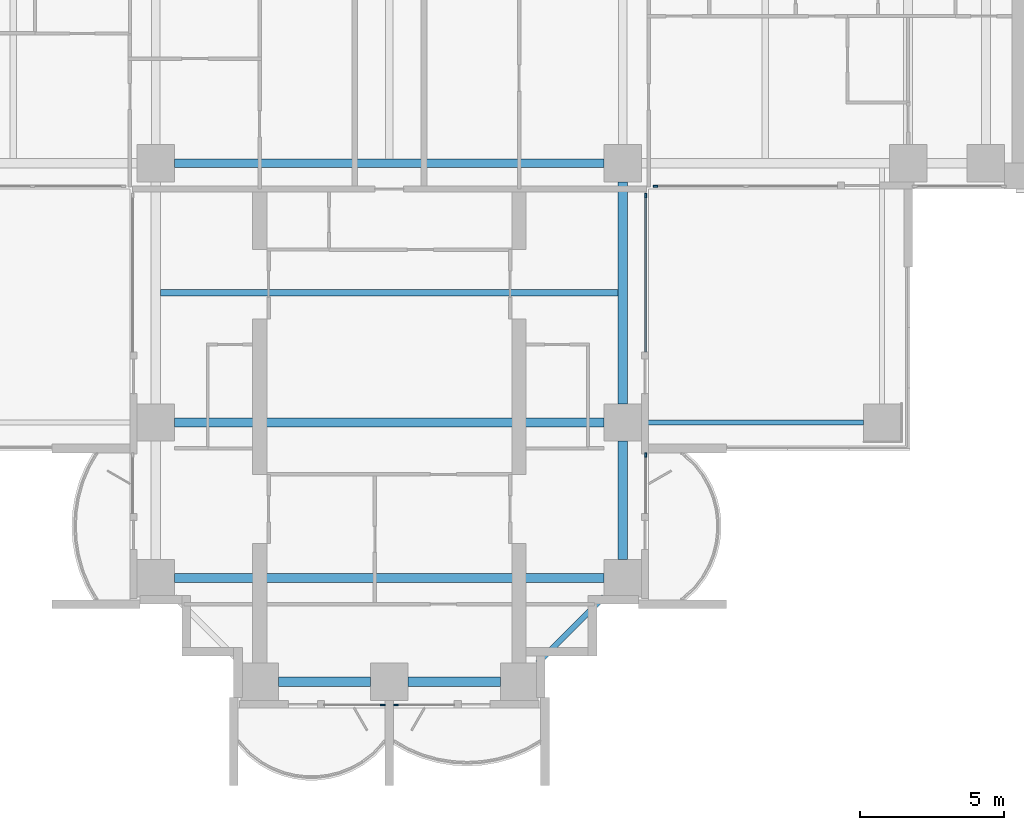
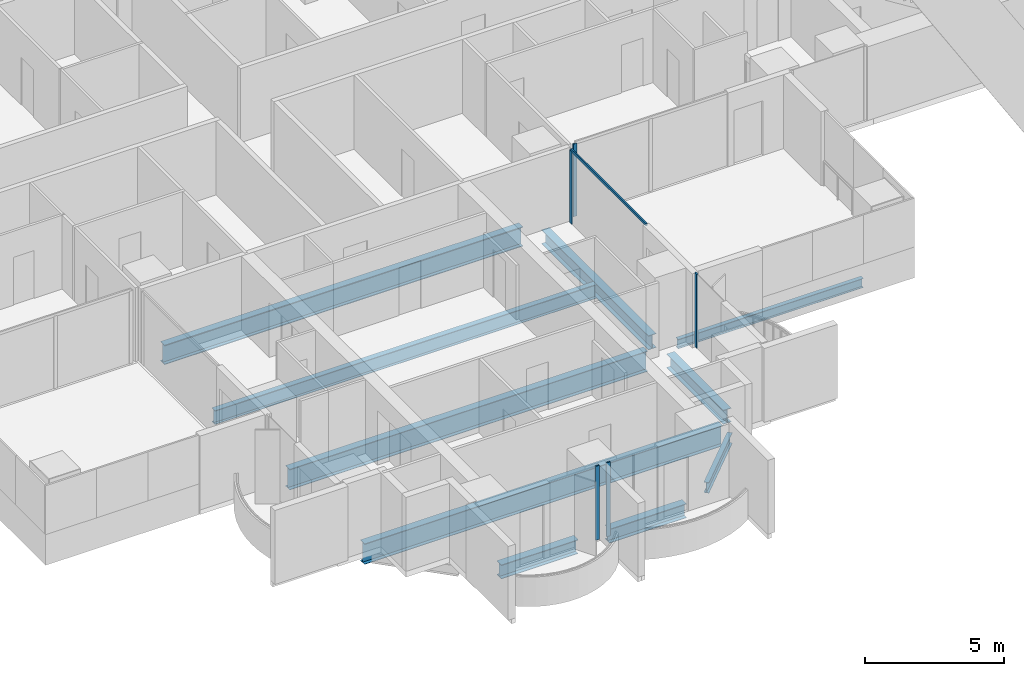
# One storey, part 3 of 23: 10 beams, 6 members, 5 elements without a shape of their own.
"""IFC4 building model written with IfcOpenShell, lengths in metres."""

from ifc_helpers import new_model, si_unit, direction, frame, origin, origin_2d, place, context, subcontext, project, spatial, rectangle, i_section, extrude, material, material_profile, profile_set, type_object, element, aggregate, save


model = new_model("IFC4")

# Units and contexts
model_context = context("Model", 3, precision=1e-05, world=origin(), true_north=direction((0.0, 1.0)))
body_context = subcontext(model_context, "Body", "Model", "MODEL_VIEW")
ifc_project = project(units=[si_unit("LENGTHUNIT", "METRE"), si_unit("AREAUNIT", "SQUARE_METRE"), si_unit("VOLUMEUNIT", "CUBIC_METRE"), si_unit("PLANEANGLEUNIT", "RADIAN"), si_unit("MASSUNIT", "GRAM", prefix="KILO")], contexts=[model_context])

# Site, building, storey
site_placement = place(None, origin())
site = spatial("IfcSite", under=ifc_project, at=site_placement, CompositionType="ELEMENT")
building_placement = place(site_placement, origin())
building = spatial("IfcBuilding", under=site, at=building_placement, Name="Perihelion Cross Residences", CompositionType="ELEMENT")
storey_placement = place(building_placement, frame((0.0, 0.0, 61.0)))
storey = spatial("IfcBuildingStorey", under=building, at=storey_placement, Name="L12", CompositionType="ELEMENT", Elevation=61.0)

# Curtain wall, member
ifc_material_1 = material(Name="Bronze anodised aluminium, tinted glazing", Category="aluminium")
curtain_wall_type = type_object("IfcCurtainWallType", Name="CW1", PredefinedType="NOTDEFINED", material=ifc_material_1)
curtain_wall_1_placement = place(storey_placement, origin())
curtain_wall_1 = element("IfcCurtainWall", 1, at=curtain_wall_1_placement, inside=storey, type_object=curtain_wall_type, Name="Curtain wall CW1 L12 south tip south bay 1", PredefinedType="NOTDEFINED")
ifc_material_2 = material(Name="Bronze anodised aluminium", Category="aluminium")
ifc_material_profile_1 = material_profile(ifc_material_2, rectangle(XDim=0.06005859375, YDim=0.159912109375, at=origin_2d()), Name="CW1 mullion")
ifc_profile_set_1 = profile_set([ifc_material_profile_1], Name="Bronze anodised aluminium")
member_type_1 = type_object("IfcMemberType", Name="CW1 mullion", PredefinedType="MULLION", material=ifc_profile_set_1)
member_1_placement = place(storey_placement, frame((-0.22998046875, -26.89990234375, 0.0), z_axis=(0.0, 0.0, 1.0), x_axis=(0.0, 1.0, 0.0)))
member_1 = element("IfcMember", 2, at=member_1_placement, type_object=member_type_1, Name="CW1 mullion 2", PredefinedType="MULLION", context=body_context, shape_type="SweptSolid", body=[
    extrude(rectangle(XDim=0.06005859375, YDim=0.159912109375, at=origin_2d()), origin(), (0.0, 0.0, 1.0), 3.25),
])
aggregate(curtain_wall_1, [member_1])

curtain_wall_2_placement = place(storey_placement, origin())
curtain_wall_2 = element("IfcCurtainWall", 3, at=curtain_wall_2_placement, inside=storey, type_object=curtain_wall_type, Name="Curtain wall CW1 L12 south tip south bay 2", PredefinedType="NOTDEFINED")
member_2_placement = place(storey_placement, frame((0.22998046875, -26.89990234375, 0.0), z_axis=(0.0, 0.0, 1.0), x_axis=(0.0, 1.0, 0.0)))
member_2 = element("IfcMember", 4, at=member_2_placement, type_object=member_type_1, Name="CW1 mullion 1", PredefinedType="MULLION", context=body_context, shape_type="SweptSolid", body=[
    extrude(rectangle(XDim=0.06005859375, YDim=0.159912109375, at=origin_2d()), origin(), (0.0, 0.0, 1.0), 3.25),
])
aggregate(curtain_wall_2, [member_2])

curtain_wall_3_placement = place(storey_placement, origin())
curtain_wall_3 = element("IfcCurtainWall", 5, at=curtain_wall_3_placement, inside=storey, type_object=curtain_wall_type, Name="Curtain wall CW1 L12 south side east bay 1", PredefinedType="NOTDEFINED")
member_3_placement = place(storey_placement, frame((8.89990234375, -18.22998046875, 0.0), z_axis=(0.0, 0.0, 1.0), x_axis=(-1.0, 0.0, 0.0)))
member_3 = element("IfcMember", 6, at=member_3_placement, type_object=member_type_1, Name="CW1 mullion 2", PredefinedType="MULLION", context=body_context, shape_type="SweptSolid", body=[
    extrude(rectangle(XDim=0.06005859375, YDim=0.159912109375, at=origin_2d()), origin(), (0.0, 0.0, 1.0), 3.25),
])
aggregate(curtain_wall_3, [member_3])

curtain_wall_4_placement = place(storey_placement, origin())
curtain_wall_4 = element("IfcCurtainWall", 7, at=curtain_wall_4_placement, inside=storey, type_object=curtain_wall_type, Name="Curtain wall CW1 L12 south side east bay 2", PredefinedType="NOTDEFINED")
member_4_placement = place(storey_placement, frame((8.89990234375, -9.22998046875, 0.0), z_axis=(0.0, 0.0, 1.0), x_axis=(-1.0, 0.0, 0.0)))
member_4 = element("IfcMember", 8, at=member_4_placement, type_object=member_type_1, Name="CW1 mullion 2", PredefinedType="MULLION", context=body_context, shape_type="SweptSolid", body=[
    extrude(rectangle(XDim=0.06005859375, YDim=0.159912109375, at=origin_2d()), origin(), (0.0, 0.0, 1.0), 3.18994140625),
])

curtain_wall_5_placement = place(storey_placement, origin())
curtain_wall_5 = element("IfcCurtainWall", 9, at=curtain_wall_5_placement, inside=storey, type_object=curtain_wall_type, Name="Curtain wall CW1 L12 east side south bay 1", PredefinedType="NOTDEFINED")
member_5_placement = place(storey_placement, frame((9.22998046875, -8.89990234375, 0.0), z_axis=(0.0, 0.0, 1.0), x_axis=(0.0, 1.0, 0.0)))
member_5 = element("IfcMember", 10, at=member_5_placement, type_object=member_type_1, Name="CW1 mullion 1", PredefinedType="MULLION", context=body_context, shape_type="SweptSolid", body=[
    extrude(rectangle(XDim=0.06005859375, YDim=0.159912109375, at=origin_2d()), origin(), (0.0, 0.0, 1.0), 3.18994140625),
])
aggregate(curtain_wall_5, [member_5])

# Member
ifc_material_3 = material(Name="Bronze anodised aluminium", Category="aluminium")
ifc_material_profile_2 = material_profile(ifc_material_3, rectangle(XDim=0.06005859375, YDim=0.1201171875, at=origin_2d()), Name="CW1 transom")
ifc_profile_set_2 = profile_set([ifc_material_profile_2], Name="Bronze anodised aluminium")
member_type_2 = type_object("IfcMemberType", Name="CW1 transom", PredefinedType="USERDEFINED", material=ifc_profile_set_2)
member_6_placement = place(storey_placement, frame((8.89990234375, -14.64990234375, 3.219970703125), z_axis=(0.0, 1.0, 0.0), x_axis=(-1.0, 0.0, 0.0)))
member_6 = element("IfcMember", 11, at=member_6_placement, type_object=member_type_2, Name="CW1 head transom", ObjectType="TRANSOM", PredefinedType="USERDEFINED", context=body_context, shape_type="SweptSolid", body=[
    extrude(rectangle(XDim=0.06005859375, YDim=0.1201171875, at=origin_2d()), origin(), (0.0, 0.0, 1.0), 5.419921875),
])

aggregate(curtain_wall_4, [member_4, member_6])

# Beams
ifc_material_4 = material(Name="Steel S355", Category="steel")
ifc_material_profile_3 = material_profile(ifc_material_4, i_section(OverallWidth=0.177978515625, OverallDepth=0.406005859375, WebThickness=0.0078125, FlangeThickness=0.0126953125, at=origin_2d()), Name="W410x60")
ifc_profile_set_3 = profile_set([ifc_material_profile_3], Name="Steel S355")
beam_type_1 = type_object("IfcBeamType", Name="Core edge beam W410x60", PredefinedType="BEAM", material=ifc_profile_set_3)
beam_1_placement = place(storey_placement, frame((8.75, -17.10009765625, -0.452880859375), z_axis=(1.0, 0.0, 0.0), x_axis=(0.0, 1.0, 0.0)))
element("IfcBeam", 12, at=beam_1_placement, inside=storey, type_object=beam_type_1, Name="Core edge beam TB2 L12 corner no. 6", PredefinedType="BEAM", context=body_context, shape_type="SweptSolid", body=[
    extrude(i_section(OverallWidth=0.177978515625, OverallDepth=0.406005859375, WebThickness=0.0078125, FlangeThickness=0.0126953125, at=origin_2d()), origin(), (0.0, 0.0, 1.0), 7.699951171875),
])
ifc_material_5 = material(Name="Steel S355", Category="steel")
ifc_material_profile_4 = material_profile(ifc_material_5, i_section(OverallWidth=0.324951171875, OverallDepth=0.616943359375, WebThickness=0.013916015625, FlangeThickness=0.021484375, at=origin_2d()), Name="W610x174")
ifc_profile_set_4 = profile_set([ifc_material_profile_4], Name="Steel S355")
beam_type_2 = type_object("IfcBeamType", Name="Edge beam W610x174", PredefinedType="SPANDREL", material=ifc_profile_set_4)
for number, where, z_axis, x_axis, name in (
    (13, (-3.85009765625, -26.10009765625, -0.55859375), (1.0, 0.0, 0.0), (0.0, 1.0, 0.0), "Edge beam SB2 L12 no. 4"),
    (14, (0.64990234375, -26.10009765625, -0.55859375), (1.0, 0.0, 0.0), (0.0, 1.0, 0.0), "Edge beam SB2 L12 no. 10"),
):
    element("IfcBeam", number, at=place(storey_placement, frame(where, z_axis=z_axis, x_axis=x_axis)), inside=storey, type_object=beam_type_2, Name=name, PredefinedType="SPANDREL", context=body_context, shape_type="SweptSolid", body=[
        extrude(i_section(OverallWidth=0.324951171875, OverallDepth=0.616943359375, WebThickness=0.013916015625, FlangeThickness=0.021484375, at=origin_2d()), origin(), (0.0, 0.0, 1.0), 3.2001953125),
    ])
beam_2_placement = place(storey_placement, frame((8.10009765625, -21.85009765625, -0.55859375), z_axis=(0.0, 1.0, 0.0), x_axis=(-1.0, 0.0, 0.0)))
element("IfcBeam", 15, at=beam_2_placement, inside=storey, type_object=beam_type_2, Name="Edge beam SB2 L12 no. 17", PredefinedType="SPANDREL", context=body_context, shape_type="SweptSolid", body=[
    extrude(i_section(OverallWidth=0.324951171875, OverallDepth=0.616943359375, WebThickness=0.013916015625, FlangeThickness=0.021484375, at=origin_2d()), origin(), (0.0, 0.0, 1.0), 4.10009765625),
])
beam_3_placement = place(storey_placement, frame((8.10009765625, -16.449951171875, -0.55859375), z_axis=(0.0, 1.0, 0.0), x_axis=(-1.0, 0.0, 0.0)))
element("IfcBeam", 16, at=beam_3_placement, inside=storey, type_object=beam_type_2, Name="Edge beam SB2 L12 no. 16", PredefinedType="SPANDREL", context=body_context, shape_type="SweptSolid", body=[
    extrude(i_section(OverallWidth=0.324951171875, OverallDepth=0.616943359375, WebThickness=0.013916015625, FlangeThickness=0.021484375, at=origin_2d()), origin(), (0.0, 0.0, 1.0), 7.699951171875),
])
ifc_material_6 = material(Name="Steel S355", Category="steel")
ifc_material_profile_5 = material_profile(ifc_material_6, i_section(OverallWidth=0.304931640625, OverallDepth=0.904052734375, WebThickness=0.01513671875, FlangeThickness=0.02001953125, at=origin_2d()), Name="W920x201")
ifc_profile_set_5 = profile_set([ifc_material_profile_5], Name="Steel S355")
beam_type_3 = type_object("IfcBeamType", Name="Floor girder W920x201", PredefinedType="BEAM", material=ifc_profile_set_5)
for number, where, z_axis, x_axis, name in (
    (17, (-7.449951171875, -17.10009765625, -0.701904296875), (1.0, 0.0, 0.0), (0.0, 1.0, 0.0), "Girder G2 L12 no. 3"),
    (18, (-7.449951171875, -22.5, -0.701904296875), (1.0, 0.0, 0.0), (0.0, 1.0, 0.0), "Girder G2 L12 no. 4"),
):
    element("IfcBeam", number, at=place(storey_placement, frame(where, z_axis=z_axis, x_axis=x_axis)), inside=storey, type_object=beam_type_3, Name=name, PredefinedType="BEAM", context=body_context, shape_type="SweptSolid", body=[
        extrude(i_section(OverallWidth=0.304931640625, OverallDepth=0.904052734375, WebThickness=0.01513671875, FlangeThickness=0.02001953125, at=origin_2d()), origin(), (0.0, 0.0, 1.0), 14.89990234375),
    ])
ifc_material_7 = material(Name="Steel S355", Category="steel")
ifc_material_profile_6 = material_profile(ifc_material_7, i_section(OverallWidth=0.22900390625, OverallDepth=0.612060546875, WebThickness=0.011962890625, FlangeThickness=0.01953125, at=origin_2d()), Name="W610x125")
ifc_profile_set_6 = profile_set([ifc_material_profile_6], Name="Steel S355")
beam_type_4 = type_object("IfcBeamType", Name="Floor joist W610x125", PredefinedType="JOIST", material=ifc_profile_set_6)
beam_4_placement = place(storey_placement, frame((-7.9375, -12.60009765625, -0.555908203125), z_axis=(1.0, 0.0, 0.0), x_axis=(0.0, 1.0, 0.0)))
element("IfcBeam", 19, at=beam_4_placement, inside=storey, type_object=beam_type_4, Name="Joist J3 L12 no. 3", PredefinedType="JOIST", context=body_context, shape_type="SweptSolid", body=[
    extrude(i_section(OverallWidth=0.22900390625, OverallDepth=0.612060546875, WebThickness=0.011962890625, FlangeThickness=0.01953125, at=origin_2d()), origin(), (0.0, 0.0, 1.0), 15.875),
])
ifc_material_8 = material(Name="Steel S355", Category="steel")
ifc_material_profile_7 = material_profile(ifc_material_8, i_section(OverallWidth=0.2919921875, OverallDepth=0.85888671875, WebThickness=0.01708984375, FlangeThickness=0.031005859375, at=origin_2d()), Name="W840x251")
ifc_profile_set_7 = profile_set([ifc_material_profile_7], Name="Steel S355")
beam_type_5 = type_object("IfcBeamType", Name="Hub ring girder W840x251", PredefinedType="BEAM", material=ifc_profile_set_7)
beam_5_placement = place(storey_placement, frame((-7.449951171875, -8.10009765625, -0.679443359375), z_axis=(1.0, 0.0, 0.0), x_axis=(0.0, 1.0, 0.0)))
element("IfcBeam", 20, at=beam_5_placement, inside=storey, type_object=beam_type_5, Name="Hub ring girder RG2 L12 no. 1", PredefinedType="BEAM", context=body_context, shape_type="SweptSolid", body=[
    extrude(i_section(OverallWidth=0.2919921875, OverallDepth=0.85888671875, WebThickness=0.01708984375, FlangeThickness=0.031005859375, at=origin_2d()), origin(), (0.0, 0.0, 1.0), 14.89990234375),
])
ifc_material_9 = material(Name="Steel S355", Category="steel")
ifc_material_profile_8 = material_profile(ifc_material_9, i_section(OverallWidth=0.194091796875, OverallDepth=0.469970703125, WebThickness=0.0126953125, FlangeThickness=0.0205078125, at=origin_2d()), Name="W460x106")
ifc_profile_set_8 = profile_set([ifc_material_profile_8], Name="Steel S355")
beam_type_6 = type_object("IfcBeamType", Name="Serration edge beam W460x106", PredefinedType="BEAM", material=ifc_profile_set_8)
beam_6_placement = place(storey_placement, frame((5.14990234375, -25.449951171875, -0.485107421875), z_axis=(0.707106781187, 0.707106781187, 0.0), x_axis=(-0.707106781187, 0.707106781187, 0.0)))
element("IfcBeam", 21, at=beam_6_placement, inside=storey, type_object=beam_type_6, Name="Serration edge beam EB2 L12 no. 3", PredefinedType="BEAM", context=body_context, shape_type="SweptSolid", body=[
    extrude(i_section(OverallWidth=0.194091796875, OverallDepth=0.469970703125, WebThickness=0.0126953125, FlangeThickness=0.0205078125, at=origin_2d()), origin(), (0.0, 0.0, 1.0), 3.252685546875),
])

save(model, "model.ifc")
